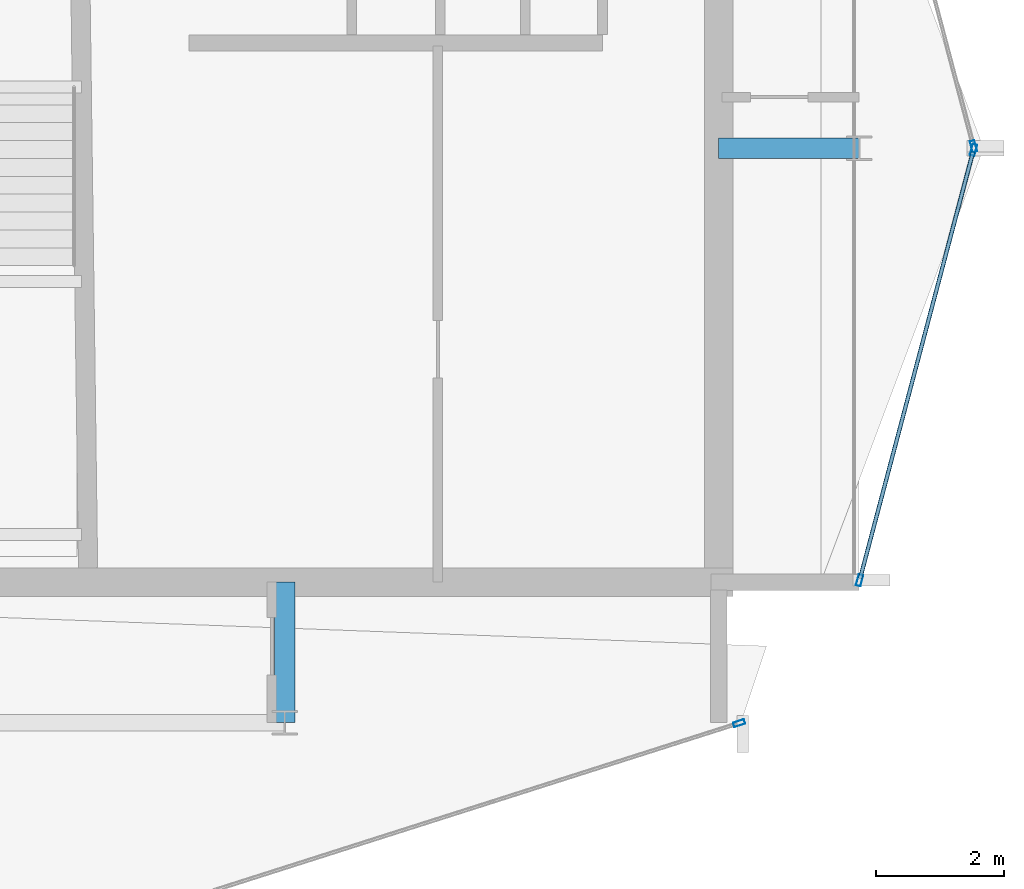
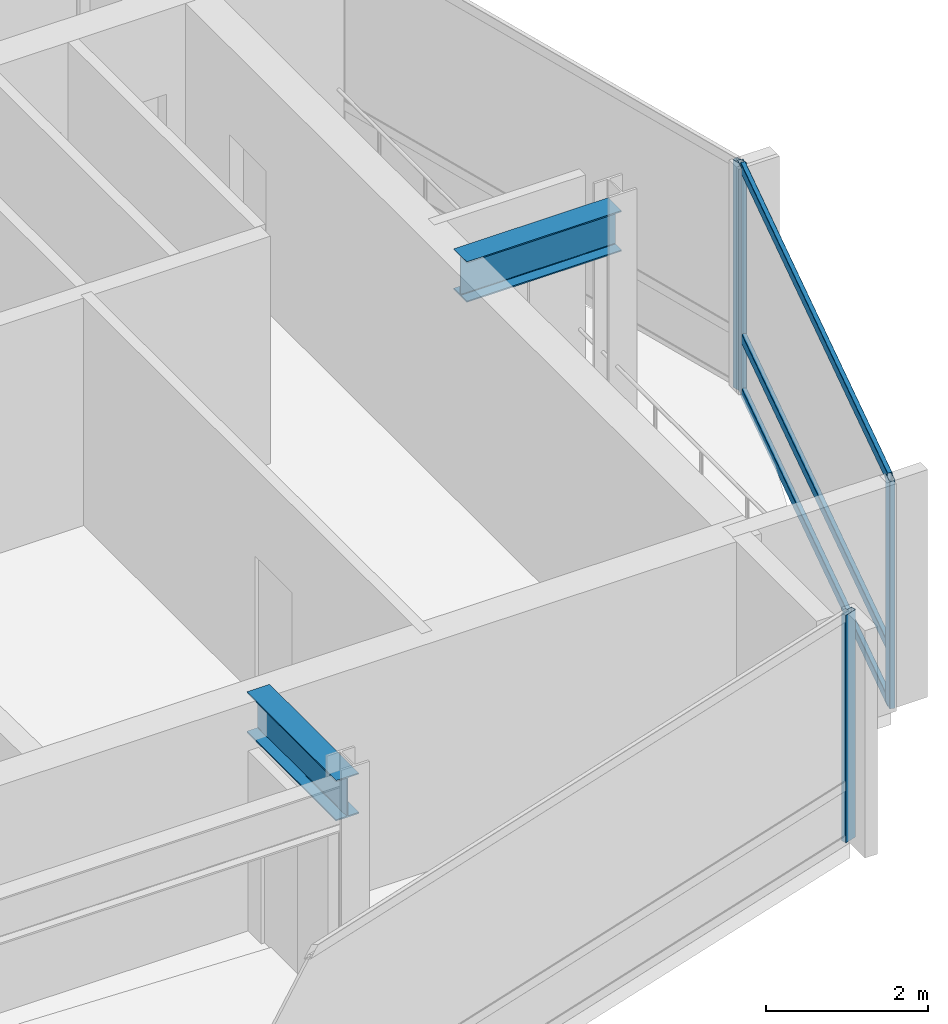
# One storey, part 9 of 19: 7 members, 2 beams, 3 elements without a shape of their own.
"""IFC4 building model written with IfcOpenShell, lengths in metres."""

from ifc_helpers import new_model, si_unit, direction, frame, origin, origin_2d, place, context, subcontext, project, spatial, hollow_rectangle, i_section, extrude, material, layer, layer_set, material_profile, profile_set, type_object, element, aggregate, save


model = new_model("IFC4")

# Units and contexts
model_context = context("Model", 3, precision=1e-05, world=origin(), true_north=direction((0.0, 1.0)))
body_context = subcontext(model_context, "Body", "Model", "MODEL_VIEW")
ifc_project = project(units=[si_unit("LENGTHUNIT", "METRE"), si_unit("AREAUNIT", "SQUARE_METRE"), si_unit("VOLUMEUNIT", "CUBIC_METRE"), si_unit("PLANEANGLEUNIT", "RADIAN"), si_unit("MASSUNIT", "GRAM", prefix="KILO")], contexts=[model_context])

# Site, building, storey
site_placement = place(None, origin())
site = spatial("IfcSite", under=ifc_project, at=site_placement, CompositionType="ELEMENT")
building_placement = place(site_placement, origin())
building = spatial("IfcBuilding", under=site, at=building_placement, Name="Solvaryn Broadcast Tower", CompositionType="ELEMENT")
storey_placement = place(building_placement, frame((0.0, 0.0, 259.300048828125)))
storey = spatial("IfcBuildingStorey", under=building, at=storey_placement, Name="L65", CompositionType="ELEMENT", Elevation=259.300048828125)

# Beams
ifc_material_1 = material(Name="Steel ASTM A992 Grade 50", Category="steel")
ifc_material_profile_1 = material_profile(ifc_material_1, i_section(OverallWidth=0.323974609375, OverallDepth=0.611083984375, WebThickness=0.0126953125, FlangeThickness=0.01904296875, FilletRadius=0.014892578125, at=origin_2d()))
ifc_profile_set_1 = profile_set([ifc_material_profile_1], Name="Steel ASTM A992 Grade 50")
beam_type = type_object("IfcBeamType", Name="BM-B1-W24X104", PredefinedType="BEAM", material=ifc_profile_set_1)
for number, where, z_axis, x_axis, name in (
    (1, (36.0, 9.0, 3.114501953125), (0.0, 1.0, 0.0), (-1.0, 0.0, 0.0), "L65 Core Tie Beam CTE1"),
    (2, (42.800048828125, 18.0, 3.114501953125), (1.0, 0.0, 0.0), (0.0, 1.0, 0.0), "L65 Core Tie Beam CTE3"),
):
    element("IfcBeam", number, at=place(storey_placement, frame(where, z_axis=z_axis, x_axis=x_axis)), inside=storey, type_object=beam_type, Name=name, PredefinedType="BEAM", context=body_context, shape_type="SweptSolid", body=[
        extrude(i_section(OverallWidth=0.323974609375, OverallDepth=0.611083984375, WebThickness=0.0126953125, FlangeThickness=0.01904296875, FilletRadius=0.014892578125, at=origin_2d()), origin(), (0.0, 0.0, 1.0), 2.199951171875),
    ])

# Curtain wall, member
ifc_material_2 = material(Name="Aluminium and Terracotta Unitised Curtain Wall", Category="masonry")
ifc_layer = layer(ifc_material_2, 0.199951171875)
ifc_layer_set = layer_set([ifc_layer], Name="CW-SYS2-LOWMID")
curtain_wall_type = type_object("IfcCurtainWallType", Name="CW-SYS2-LOWMID", PredefinedType="NOTDEFINED", material=ifc_layer_set)
curtain_wall_1_placement = place(storey_placement, origin())
curtain_wall_1 = element("IfcCurtainWall", 3, at=curtain_wall_1_placement, inside=storey, type_object=curtain_wall_type, Name="L65 Curtain Wall DR4", PredefinedType="NOTDEFINED")
ifc_material_3 = material(Name="Anodised Aluminium 6063-T6", Category="aluminium")
ifc_material_profile_2 = material_profile(ifc_material_3, hollow_rectangle(XDim=0.074951171875, YDim=0.179931640625, WallThickness=0.00390625, InnerFilletRadius=0.00390625, OuterFilletRadius=0.008056640625, at=origin_2d()))
ifc_profile_set_2 = profile_set([ifc_material_profile_2], Name="Anodised Aluminium 6063-T6")
member_type_1 = type_object("IfcMemberType", Name="CW-MUL-180", PredefinedType="MULLION", material=ifc_profile_set_2)
member_1_placement = place(storey_placement, frame((43.120361328125, 8.990966796875, 0.0), z_axis=(0.0, 0.0, 1.0), x_axis=(-0.30361564569, 0.952794594701, 0.0)))
member_1 = element("IfcMember", 4, at=member_1_placement, type_object=member_type_1, Name="CWS2 mullion 2", PredefinedType="MULLION", context=body_context, shape_type="SweptSolid", body=[
    extrude(hollow_rectangle(XDim=0.074951171875, YDim=0.179931640625, WallThickness=0.00390625, InnerFilletRadius=0.00390625, OuterFilletRadius=0.008056640625, at=origin_2d()), origin(), (0.0, 0.0, 1.0), 3.419921875),
])
aggregate(curtain_wall_1, [member_1])

curtain_wall_2_placement = place(storey_placement, origin())
curtain_wall_2 = element("IfcCurtainWall", 5, at=curtain_wall_2_placement, inside=storey, type_object=curtain_wall_type, Name="L65 Curtain Wall ET1", PredefinedType="NOTDEFINED")
member_2_placement = place(storey_placement, frame((46.792236328125, 18.029052734375, 0.0), z_axis=(0.0, 0.0, 1.0), x_axis=(0.966705227863, 0.25589256031, 0.0)))
member_2 = element("IfcMember", 6, at=member_2_placement, type_object=member_type_1, Name="CWS2 mullion 2", PredefinedType="MULLION", context=body_context, shape_type="SweptSolid", body=[
    extrude(hollow_rectangle(XDim=0.074951171875, YDim=0.179931640625, WallThickness=0.00390625, InnerFilletRadius=0.00390625, OuterFilletRadius=0.008056640625, at=origin_2d()), origin(), (0.0, 0.0, 1.0), 3.419921875),
])
aggregate(curtain_wall_2, [member_2])

# Curtain wall, members
curtain_wall_3_placement = place(storey_placement, origin())
curtain_wall_3 = element("IfcCurtainWall", 7, at=curtain_wall_3_placement, inside=storey, type_object=curtain_wall_type, Name="L65 Curtain Wall ET2", PredefinedType="NOTDEFINED")
member_3_placement = place(storey_placement, frame((46.792236328125, 17.970947265625, 0.0), z_axis=(0.0, 0.0, 1.0), x_axis=(0.966705227863, -0.25589256031, 0.0)))
member_3 = element("IfcMember", 8, at=member_3_placement, type_object=member_type_1, Name="CWS2 mullion 1", PredefinedType="MULLION", context=body_context, shape_type="SweptSolid", body=[
    extrude(hollow_rectangle(XDim=0.074951171875, YDim=0.179931640625, WallThickness=0.00390625, InnerFilletRadius=0.00390625, OuterFilletRadius=0.008056640625, at=origin_2d()), origin(), (0.0, 0.0, 1.0), 3.419921875),
])
member_4_placement = place(storey_placement, frame((45.007568359375, 11.22900390625, 0.0), z_axis=(0.0, 0.0, 1.0), x_axis=(0.966705227863, -0.25589256031, 0.0)))
member_4 = element("IfcMember", 9, at=member_4_placement, type_object=member_type_1, Name="CWS2 mullion 2", PredefinedType="MULLION", context=body_context, shape_type="SweptSolid", body=[
    extrude(hollow_rectangle(XDim=0.074951171875, YDim=0.179931640625, WallThickness=0.00390625, InnerFilletRadius=0.00390625, OuterFilletRadius=0.008056640625, at=origin_2d()), origin(), (0.0, 0.0, 1.0), 3.419921875),
])
ifc_material_4 = material(Name="Anodised Aluminium 6063-T6", Category="aluminium")
ifc_material_profile_3 = material_profile(ifc_material_4, hollow_rectangle(XDim=0.06494140625, YDim=0.14990234375, WallThickness=0.00390625, InnerFilletRadius=0.00390625, OuterFilletRadius=0.008056640625, at=origin_2d()))
ifc_profile_set_3 = profile_set([ifc_material_profile_3], Name="Anodised Aluminium 6063-T6")
member_type_2 = type_object("IfcMemberType", Name="CW-TRN-150", PredefinedType="USERDEFINED", material=ifc_profile_set_3)
member_5_placement = place(storey_placement, frame((46.78466796875, 17.94189453125, 0.030029296875), z_axis=(-0.255897413051, -0.966703943301, 0.0), x_axis=(0.966703943301, -0.255897413051, 0.0)))
member_5 = element("IfcMember", 10, at=member_5_placement, type_object=member_type_2, Name="CWS2 transom 1.1", ObjectType="TRANSOM", PredefinedType="USERDEFINED", context=body_context, shape_type="SweptSolid", body=[
    extrude(hollow_rectangle(XDim=0.06494140625, YDim=0.14990234375, WallThickness=0.00390625, InnerFilletRadius=0.00390625, OuterFilletRadius=0.008056640625, at=origin_2d()), origin(), (0.0, 0.0, 1.0), 6.9140625),
])
member_6_placement = place(storey_placement, frame((46.78466796875, 17.94189453125, 0.849853515625), z_axis=(-0.255897413051, -0.966703943301, 0.0), x_axis=(0.966703943301, -0.255897413051, 0.0)))
member_6 = element("IfcMember", 11, at=member_6_placement, type_object=member_type_2, Name="CWS2 transom 1.2", ObjectType="TRANSOM", PredefinedType="USERDEFINED", context=body_context, shape_type="SweptSolid", body=[
    extrude(hollow_rectangle(XDim=0.06494140625, YDim=0.14990234375, WallThickness=0.00390625, InnerFilletRadius=0.00390625, OuterFilletRadius=0.008056640625, at=origin_2d()), origin(), (0.0, 0.0, 1.0), 6.9140625),
])
member_7_placement = place(storey_placement, frame((46.78466796875, 17.94189453125, 3.389892578125), z_axis=(-0.255897413051, -0.966703943301, 0.0), x_axis=(0.966703943301, -0.255897413051, 0.0)))
member_7 = element("IfcMember", 12, at=member_7_placement, type_object=member_type_2, Name="CWS2 transom 1.3", ObjectType="TRANSOM", PredefinedType="USERDEFINED", context=body_context, shape_type="SweptSolid", body=[
    extrude(hollow_rectangle(XDim=0.06494140625, YDim=0.14990234375, WallThickness=0.00390625, InnerFilletRadius=0.00390625, OuterFilletRadius=0.008056640625, at=origin_2d()), origin(), (0.0, 0.0, 1.0), 6.9140625),
])
aggregate(curtain_wall_3, [member_3, member_4, member_5, member_6, member_7])

save(model, "model.ifc")
